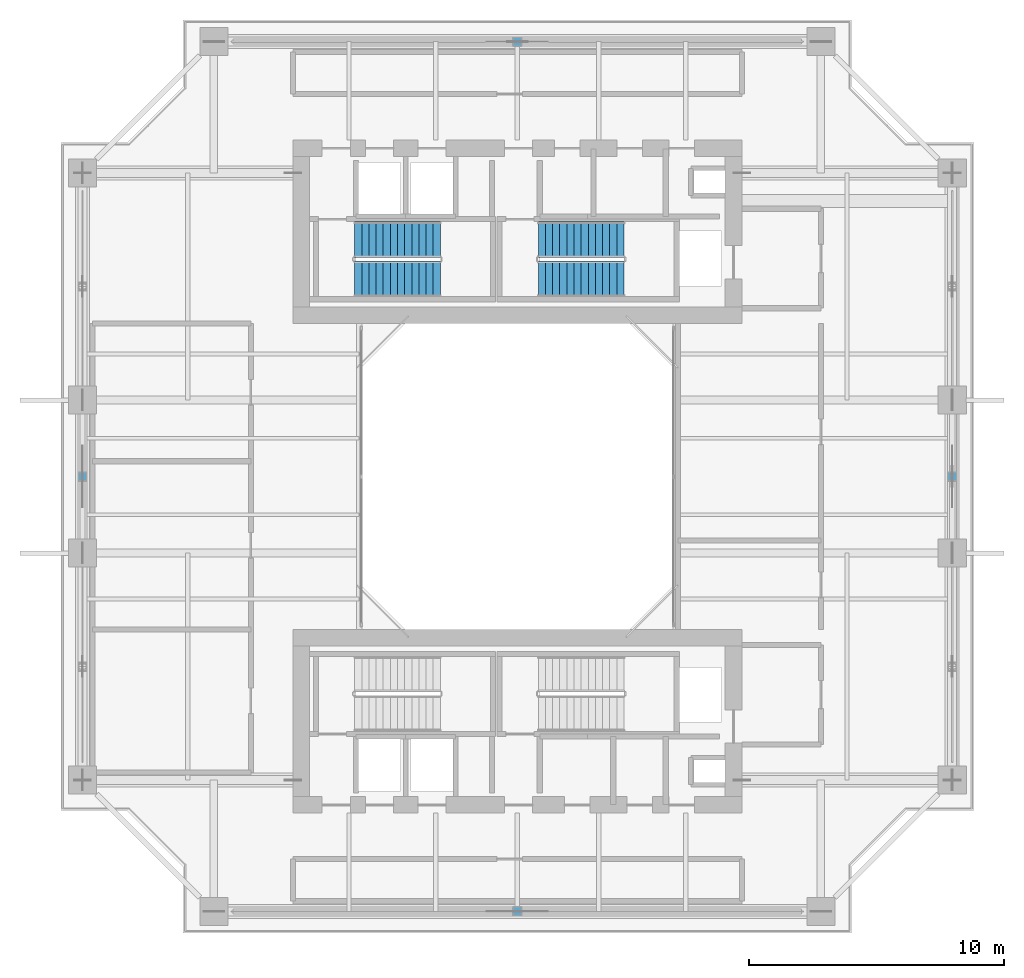
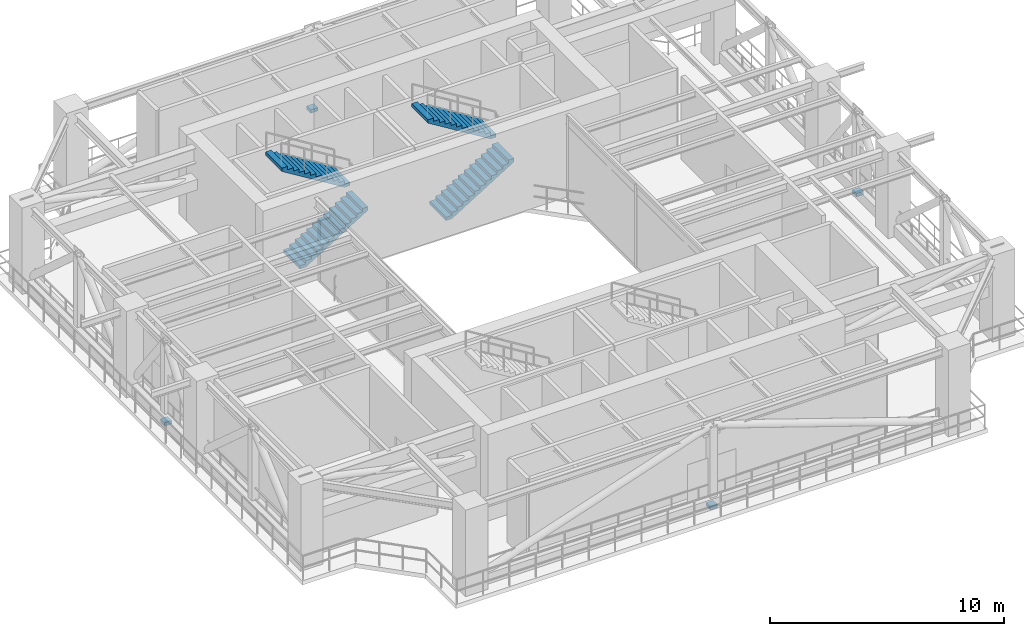
# One storey, part 8 of 11: 4 discrete accessories, 4 stair flights, 2 elements without a shape of their own.
"""IFC4 building model written with IfcOpenShell, lengths in metres."""

from ifc_helpers import new_model, si_unit, direction, frame, origin, origin_2d, place, context, subcontext, project, spatial, polyline, rectangle, outline, extrude, source, transform, mapped, material, type_object, element, aggregate, save


model = new_model("IFC4")

# Units and contexts
model_context = context("Model", 3, precision=1e-05, world=origin(), true_north=direction((0.0, 1.0)))
body_context = subcontext(model_context, "Body", "Model", "MODEL_VIEW")
ifc_project = project(units=[si_unit("LENGTHUNIT", "METRE"), si_unit("AREAUNIT", "SQUARE_METRE"), si_unit("VOLUMEUNIT", "CUBIC_METRE"), si_unit("PLANEANGLEUNIT", "RADIAN"), si_unit("MASSUNIT", "GRAM", prefix="KILO"), si_unit("THERMODYNAMICTEMPERATUREUNIT", "KELVIN"), si_unit("POWERUNIT", "WATT")], contexts=[model_context])

# Site, building, storey
site_placement = place(None, origin())
site = spatial("IfcSite", under=ifc_project, at=site_placement, CompositionType="ELEMENT")
building_placement = place(site_placement, origin())
building = spatial("IfcBuilding", under=site, at=building_placement, Name="Qiaomeng Ring Towers", CompositionType="ELEMENT")
storey_placement = place(building_placement, frame((0.0, 0.0, 139.25)))
storey = spatial("IfcBuildingStorey", under=building, at=storey_placement, Name="L40", CompositionType="ELEMENT", Elevation=139.25)

# Stair, stair flights
ifc_material_1 = material(Name="Precast concrete C40", Category="concrete")
stair_type = type_object("IfcStairType", Name="ARC-ST-450", PredefinedType="HALF_TURN_STAIR", material=ifc_material_1)
stair_1_placement = place(storey_placement, origin())
stair_1 = element("IfcStair", 1, at=stair_1_placement, inside=storey, type_object=stair_type, Name="L40 Tower 1 North Stair 1", PredefinedType="HALF_TURN_STAIR")
stair_flight_type = type_object("IfcStairFlightType", Name="ARC-ST-450-FL", PredefinedType="STRAIGHT", material=ifc_material_1)
shared_shape_1 = source(origin(), body_context, "Body", "SweptSolid", [
    extrude(outline(polyline([(0.0, 0.0), (0.0, 0.173095703125), (0.280029296875, 0.173095703125), (0.280029296875, 0.34619140625), (0.56005859375, 0.34619140625), (0.56005859375, 0.519287109375), (0.840087890625, 0.519287109375), (0.840087890625, 0.6923828125), (1.1201171875, 0.6923828125), (1.1201171875, 0.865478515625), (1.39990234375, 0.865478515625), (1.39990234375, 1.03857421875), (1.679931640625, 1.03857421875), (1.679931640625, 1.21142578125), (1.9599609375, 1.21142578125), (1.9599609375, 1.384521484375), (2.239990234375, 1.384521484375), (2.239990234375, 1.5576171875), (2.52001953125, 1.5576171875), (2.52001953125, 1.730712890625), (2.800048828125, 1.730712890625), (2.800048828125, 1.90380859375), (3.080078125, 1.90380859375), (3.080078125, 2.076904296875), (3.360107421875, 2.076904296875), (3.360107421875, 2.25), (3.360107421875, 1.900634765625), (0.28515625, 0.0), (0.0, 0.0)])), frame((0.0, 0.699951171875, 0.0), z_axis=(0.0, -1.0, 0.0), x_axis=(1.0, 0.0, 0.0)), (0.0, 0.0, 1.0), 1.39990234375),
])
stair_flight_1_placement = place(storey_placement, frame((12.6201171875, 30.75, 0.0), z_axis=(0.0, 0.0, 1.0), x_axis=(1.0, 0.0, 0.0)))
stair_flight_1 = element("IfcStairFlight", 2, at=stair_flight_1_placement, type_object=stair_flight_type, Name="ST1 flight 1", NumberOfRisers=13, NumberOfTreads=12, PredefinedType="STRAIGHT", RiserHeight=0.173076923, TreadLength=0.28, context=body_context, shape_type="MappedRepresentation", body=[
    mapped(shared_shape_1, transform((0.0, 0.0, 0.0), x_axis=(1.0, 0.0, 0.0), y_axis=(0.0, 1.0, 0.0), z_axis=(0.0, 0.0, 1.0), scale=1.0)),
])
stair_flight_2_placement = place(storey_placement, frame((15.97998046875, 32.2900390625, 2.25), z_axis=(0.0, 0.0, 1.0), x_axis=(-1.0, 0.0, 0.0)))
stair_flight_2 = element("IfcStairFlight", 3, at=stair_flight_2_placement, type_object=stair_flight_type, Name="ST1 flight 2", NumberOfRisers=13, NumberOfTreads=12, PredefinedType="STRAIGHT", RiserHeight=0.173076923, TreadLength=0.28, context=body_context, shape_type="MappedRepresentation", body=[
    mapped(shared_shape_1, transform((0.0, 0.0, 0.0), x_axis=(1.0, 0.0, 0.0), y_axis=(0.0, 1.0, 0.0), z_axis=(0.0, 0.0, 1.0), scale=1.0)),
])
aggregate(stair_1, [stair_flight_1, stair_flight_2])

stair_2_placement = place(storey_placement, origin())
stair_2 = element("IfcStair", 4, at=stair_2_placement, inside=storey, type_object=stair_type, Name="L40 Tower 1 North Stair 2", PredefinedType="HALF_TURN_STAIR")
stair_flight_3_placement = place(storey_placement, frame((19.820068359375, 30.75, 0.0), z_axis=(0.0, 0.0, 1.0), x_axis=(1.0, 0.0, 0.0)))
stair_flight_3 = element("IfcStairFlight", 5, at=stair_flight_3_placement, type_object=stair_flight_type, Name="ST2 flight 1", NumberOfRisers=13, NumberOfTreads=12, PredefinedType="STRAIGHT", RiserHeight=0.173076923, TreadLength=0.28, context=body_context, shape_type="MappedRepresentation", body=[
    mapped(shared_shape_1, transform((0.0, 0.0, 0.0), x_axis=(1.0, 0.0, 0.0), y_axis=(0.0, 1.0, 0.0), z_axis=(0.0, 0.0, 1.0), scale=1.0)),
])
stair_flight_4_placement = place(storey_placement, frame((23.179931640625, 32.2900390625, 2.25), z_axis=(0.0, 0.0, 1.0), x_axis=(-1.0, 0.0, 0.0)))
stair_flight_4 = element("IfcStairFlight", 6, at=stair_flight_4_placement, type_object=stair_flight_type, Name="ST2 flight 2", NumberOfRisers=13, NumberOfTreads=12, PredefinedType="STRAIGHT", RiserHeight=0.173076923, TreadLength=0.28, context=body_context, shape_type="MappedRepresentation", body=[
    mapped(shared_shape_1, transform((0.0, 0.0, 0.0), x_axis=(1.0, 0.0, 0.0), y_axis=(0.0, 1.0, 0.0), z_axis=(0.0, 0.0, 1.0), scale=1.0)),
])
aggregate(stair_2, [stair_flight_3, stair_flight_4])

# Discrete accessories
ifc_material_2 = material(Name="Stainless steel 316", Category="steel")
discrete_accessory_type = type_object("IfcDiscreteAccessoryType", Name="ARC-ACC-BRACKET", PredefinedType="BRACKET", material=ifc_material_2)
shared_shape_2 = source(origin(), body_context, "Body", "SweptSolid", [
    extrude(rectangle(XDim=0.35009765625, YDim=0.35009765625, at=origin_2d()), origin(), (0.0, 0.0, 1.0), 0.179931640625),
])
for number, where, z_axis, x_axis, name in (
    (7, (19.0, 5.949951171875, -0.009765625), (0.0, 0.0, 1.0), (1.0, 0.0, 0.0), "L40 Wind Screen Base Bracket S"),
    (8, (19.0, 40.050048828125, -0.009765625), (0.0, 0.0, 1.0), (-1.0, 0.0, 0.0), "L40 Wind Screen Base Bracket N"),
    (9, (1.949951171875, 23.0, -0.009765625), (0.0, 0.0, 1.0), (0.0, -1.0, 0.0), "L40 Wind Screen Base Bracket W"),
    (10, (36.050048828125, 23.0, -0.009765625), (0.0, 0.0, 1.0), (0.0, 1.0, 0.0), "L40 Wind Screen Base Bracket E"),
):
    element("IfcDiscreteAccessory", number, at=place(storey_placement, frame(where, z_axis=z_axis, x_axis=x_axis)), inside=storey, type_object=discrete_accessory_type, Name=name, PredefinedType="BRACKET", context=body_context, shape_type="MappedRepresentation", body=[
        mapped(shared_shape_2, transform((0.0, 0.0, 0.0), x_axis=(1.0, 0.0, 0.0), y_axis=(0.0, 1.0, 0.0), z_axis=(0.0, 0.0, 1.0), scale=1.0)),
    ])

save(model, "model.ifc")
